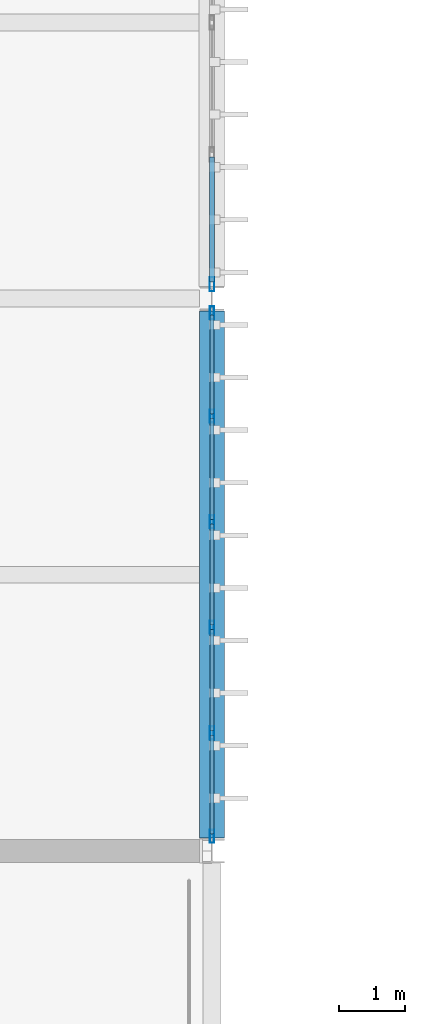
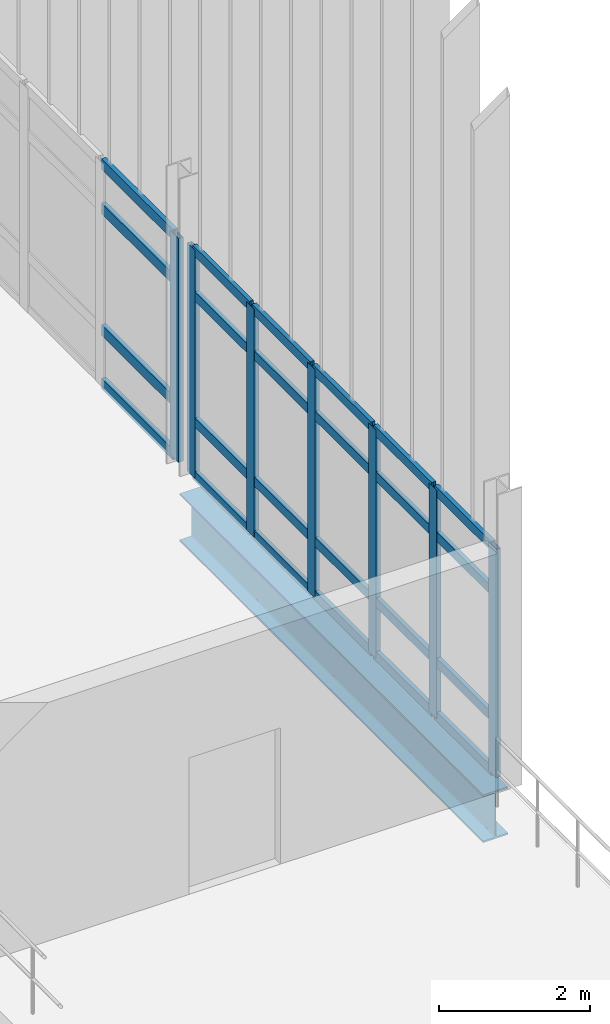
# One storey, part 37 of 153: 31 members, 1 beam, 2 elements without a shape of their own.
"""IFC4 building model written with IfcOpenShell, lengths in metres."""

import ifcopenshell
import ifcopenshell.guid

model = None  # the IFC model being written
_history = None  # IfcOwnerHistory: only IFC2X3 demands one
_inside = {}  # id of a spatial element -> (the spatial element, [elements in it])
_under = {}  # id of a project, library or spatial element -> (it, [spatial elements below it])
_declared = {}  # id of a project -> (the project, [libraries it declares])
_typed = {}  # id of a type object -> (the type object, [elements of that type])
_made_of = {}  # id of a material, layer set ... -> (it, [elements and type objects made of it])


def new_model(schema):
    """Start an empty IFC model of exactly this schema.

    Asked for "IFC4X3", IfcOpenShell would pick the latest addendum, in which some entities
    have other attributes; the version numbers below select the first issue.
    IFC2X3 requires an IfcOwnerHistory on every rooted entity: one is made here for all.
    """
    global model, _history
    if schema == "IFC4X3":
        model = ifcopenshell.file(schema_version=(4, 3, 0, 0))
    else:
        model = ifcopenshell.file(schema=schema)
    _inside.clear()
    _under.clear()
    _declared.clear()
    _typed.clear()
    _made_of.clear()
    _history = None
    if model.schema == "IFC2X3":
        org = make("IfcOrganization", Name="unknown")
        user = make(
            "IfcPersonAndOrganization",
            ThePerson=make("IfcPerson", FamilyName="unknown"),
            TheOrganization=org,
        )
        app = make(
            "IfcApplication",
            ApplicationDeveloper=org,
            Version="unknown",
            ApplicationFullName="unknown",
            ApplicationIdentifier="unknown",
        )
        _history = make(
            "IfcOwnerHistory",
            OwningUser=user,
            OwningApplication=app,
            ChangeAction="ADDED",
            CreationDate=0,
        )
    return model


def make(cls, **values):
    """One entity of the class cls with the attributes given. An attribute that is None is left unset."""
    return model.create_entity(
        cls, **{name: value for name, value in values.items() if value is not None}
    )


def rooted(cls, **values):
    """An entity with a GlobalId (a new one), such as an element, a storey or a relation."""
    return make(cls, GlobalId=ifcopenshell.guid.new(), OwnerHistory=_history, **values)


def si_unit(unit_type, name, prefix=None):
    """IfcSIUnit, for example si_unit("LENGTHUNIT", "METRE", prefix="MILLI")."""
    return make("IfcSIUnit", UnitType=unit_type, Prefix=prefix, Name=name)


def assignment(units):
    """IfcUnitAssignment: the units of a project."""
    return None if units is None else make("IfcUnitAssignment", Units=units)


def point(xyz):
    """IfcCartesianPoint."""
    return None if xyz is None else make("IfcCartesianPoint", Coordinates=xyz)


def direction(xyz):
    """IfcDirection."""
    return None if xyz is None else make("IfcDirection", DirectionRatios=xyz)


def frame(location, z_axis=None, x_axis=None):
    """IfcAxis2Placement3D, a coordinate frame: its origin and axes. An axis left out is left unset."""
    return make(
        "IfcAxis2Placement3D",
        Location=point(location),
        Axis=direction(z_axis),
        RefDirection=direction(x_axis),
    )


def frame_2d(location, x_axis=None):
    """IfcAxis2Placement2D, a coordinate frame in the plane: its origin and x axis."""
    return make(
        "IfcAxis2Placement2D", Location=point(location), RefDirection=direction(x_axis)
    )


def origin():
    """The frame at (0, 0, 0) with its axes left unset."""
    return frame((0.0, 0.0, 0.0))


def origin_2d():
    """The frame at (0, 0) in the plane with its x axis left unset."""
    return frame_2d((0.0, 0.0))


def place(relative_to, where):
    """IfcLocalPlacement: puts the frame where relative to a parent placement (None: the world)."""
    return make(
        "IfcLocalPlacement", PlacementRelTo=relative_to, RelativePlacement=where
    )


def context(
    kind, dimensions, precision=None, world=None, true_north=None, identifier=None
):
    """IfcGeometricRepresentationContext, for example the 3D "Model" context."""
    return make(
        "IfcGeometricRepresentationContext",
        ContextIdentifier=identifier,
        ContextType=kind,
        CoordinateSpaceDimension=dimensions,
        Precision=precision,
        WorldCoordinateSystem=world,
        TrueNorth=true_north,
    )


def subcontext(parent, identifier, kind, view, scale=None):
    """IfcGeometricRepresentationSubContext, for example "Body" below "Model"."""
    return make(
        "IfcGeometricRepresentationSubContext",
        ContextIdentifier=identifier,
        ContextType=kind,
        ParentContext=parent,
        TargetScale=scale,
        TargetView=view,
    )


def project(units=None, contexts=None):
    """IfcProject with its units and contexts."""
    return rooted(
        "IfcProject",
        Name="project",
        RepresentationContexts=contexts,
        UnitsInContext=assignment(units),
    )


def spatial(cls, under=None, at=None, **own):
    """A site, building, storey or space (cls), placed at a placement, below another one or the project."""
    s = rooted(cls, ObjectPlacement=at, **own)
    if under is not None:
        _under.setdefault(under.id(), (under, []))[1].append(s)
    return s


def profile(cls, at=None, kind="AREA", **sizes):
    """A parametric profile (cls). Its sizes go by their IFC names, for example OverallWidth=200.0."""
    return make(cls, ProfileType=kind, Position=at, **sizes)


def hollow_rectangle(**sizes):
    """IfcRectangleHollowProfileDef."""
    return profile("IfcRectangleHollowProfileDef", **sizes)


def i_section(**sizes):
    """IfcIShapeProfileDef."""
    return profile("IfcIShapeProfileDef", **sizes)


def extrude(swept, where, along, depth):
    """IfcExtrudedAreaSolid: the profile swept, set in the frame where, extruded along a direction by depth."""
    return make(
        "IfcExtrudedAreaSolid",
        SweptArea=swept,
        Position=where,
        ExtrudedDirection=direction(along),
        Depth=depth,
    )


def shape(context_of_items, identifier, shape_type, items):
    """IfcShapeRepresentation: the items that make up one representation, for example the "Body"."""
    return make(
        "IfcShapeRepresentation",
        ContextOfItems=context_of_items,
        RepresentationIdentifier=identifier,
        RepresentationType=shape_type,
        Items=items,
    )


def material(Name=None, Category=None):
    """IfcMaterial."""
    return make("IfcMaterial", Name=Name, Category=Category)


def layer(
    of_material, thickness, ventilated=None, Name=None, Category=None, Priority=None
):
    """IfcMaterialLayer: one layer of a wall or slab, of a material (None: an air gap)."""
    return make(
        "IfcMaterialLayer",
        Material=of_material,
        LayerThickness=thickness,
        IsVentilated=ventilated,
        Name=Name,
        Category=Category,
        Priority=Priority,
    )


def layer_set(layers, Name=None):
    """IfcMaterialLayerSet."""
    return make("IfcMaterialLayerSet", MaterialLayers=layers, LayerSetName=Name)


def material_profile(
    of_material, cross_section, Name=None, Category=None, Priority=None
):
    """IfcMaterialProfile: a cross section and its material."""
    return make(
        "IfcMaterialProfile",
        Name=Name,
        Material=of_material,
        Profile=cross_section,
        Priority=Priority,
        Category=Category,
    )


def profile_set(profiles, Name=None, composite=None):
    """IfcMaterialProfileSet."""
    return make(
        "IfcMaterialProfileSet",
        Name=Name,
        MaterialProfiles=profiles,
        CompositeProfile=composite,
    )


def made_of(thing, what):
    """Note that an element or type object is made of a material, layer set ...; save() writes the relation."""
    if what is not None:
        _made_of.setdefault(what.id(), (what, []))[1].append(thing)
    return thing


def type_object(cls, material=None, **own):
    """A type object (cls), such as IfcWallType, which elements share."""
    return made_of(rooted(cls, **own), material)


def element(
    cls,
    number,
    at=None,
    inside=None,
    cuts=None,
    type_object=None,
    material=None,
    context=None,
    identifier="Body",
    shape_type=None,
    held_by="IfcProductDefinitionShape",
    body=None,
    shapes=None,
    **own,
):
    """One element of the class cls, such as IfcWall. Its Tag is "e" and its number.

    at: its placement. inside: the storey or other place that contains it. cuts: it is an
    opening in that element (IfcRelVoidsElement). A single representation is given by context,
    identifier, shape_type and body (its items); several are given by shapes. held_by: the class
    of the entity that holds the representations. save() writes the other relations.
    """
    e = rooted(cls, Tag="e%d" % number, ObjectPlacement=at, **own)
    if body is not None:
        shapes = [shape(context, identifier, shape_type, body)]
    if shapes is not None:
        e.Representation = make(held_by, Representations=shapes)
    if inside is not None:
        _inside.setdefault(inside.id(), (inside, []))[1].append(e)
    if cuts is not None:
        rooted(
            "IfcRelVoidsElement", RelatingBuildingElement=cuts, RelatedOpeningElement=e
        )
    if type_object is not None:
        _typed.setdefault(type_object.id(), (type_object, []))[1].append(e)
    return made_of(e, material)


def aggregate(whole, parts):
    """IfcRelAggregates: a whole, such as a stair, and the parts it consists of."""
    return rooted("IfcRelAggregates", RelatingObject=whole, RelatedObjects=parts)


def save(model, path):
    """Write the relations noted so far, then the file.

    IfcRelAggregates (storeys below a building ...), IfcRelContainedInSpatialStructure (elements
    in a storey), IfcRelDefinesByType, IfcRelAssociatesMaterial and IfcRelDeclares: one each for
    every whole, place, type object, material and project.
    """
    for whole, parts in _under.values():
        aggregate(whole, parts)
    for where, things in _inside.values():
        rooted(
            "IfcRelContainedInSpatialStructure",
            RelatedElements=things,
            RelatingStructure=where,
        )
    for kind, things in _typed.values():
        rooted("IfcRelDefinesByType", RelatedObjects=things, RelatingType=kind)
    for what, things in _made_of.values():
        rooted("IfcRelAssociatesMaterial", RelatedObjects=things, RelatingMaterial=what)
    for by, libraries in _declared.values():
        rooted("IfcRelDeclares", RelatingContext=by, RelatedDefinitions=libraries)
    model.write(path)


model = new_model("IFC4")

# Units and contexts
model_context = context("Model", 3, precision=1e-05, world=origin(), true_north=direction((0.0, 1.0)))
body_context = subcontext(model_context, "Body", "Model", "MODEL_VIEW")
ifc_project = project(units=[si_unit("LENGTHUNIT", "METRE"), si_unit("AREAUNIT", "SQUARE_METRE"), si_unit("VOLUMEUNIT", "CUBIC_METRE"), si_unit("PLANEANGLEUNIT", "RADIAN"), si_unit("MASSUNIT", "GRAM", prefix="KILO")], contexts=[model_context])

# Site, building, storey
site_placement = place(None, origin())
site = spatial("IfcSite", under=ifc_project, at=site_placement, CompositionType="ELEMENT")
building_placement = place(site_placement, origin())
building = spatial("IfcBuilding", under=site, at=building_placement, Name="Calvrana Isthmian Art Gallery", CompositionType="ELEMENT")
storey_placement = place(building_placement, frame((0.0, 0.0, 10.199951171875)))
storey = spatial("IfcBuildingStorey", under=building, at=storey_placement, Name="L02", CompositionType="ELEMENT", Elevation=10.199951171875)

# Beam
ifc_material_1 = material(Name="Steel ASTM A992 Gr 50", Category="steel")
ifc_material_profile_1 = material_profile(ifc_material_1, i_section(OverallWidth=0.381103515625, OverallDepth=0.77197265625, WebThickness=0.0166015625, FlangeThickness=0.027099609375, FilletRadius=0.02490234375, at=origin_2d()), Name="W30X173")
ifc_profile_set_1 = profile_set([ifc_material_profile_1], Name="Steel ASTM A992 Gr 50")
beam_type = type_object("IfcBeamType", Name="BM-G-W30X173", PredefinedType="BEAM", material=ifc_profile_set_1)
beam_placement = place(storey_placement, frame((80.39990234375, 21.79296875, -0.65087890625), z_axis=(0.0, 1.0, 0.0), x_axis=(-1.0, 0.0, 0.0)))
element("IfcBeam", 1, at=beam_placement, inside=storey, type_object=beam_type, Name="Girder Y L02 11/D-E", PredefinedType="BEAM", context=body_context, shape_type="SweptSolid", body=[
    extrude(i_section(OverallWidth=0.381103515625, OverallDepth=0.77197265625, WebThickness=0.0166015625, FlangeThickness=0.027099609375, FilletRadius=0.02490234375, at=origin_2d()), origin(), (0.0, 0.0, 1.0), 8.0205078125),
])

# Curtain wall, members
ifc_material_2 = material(Name="Anodized bronze aluminium 6063-T6", Category="aluminium")
ifc_layer_1 = layer(ifc_material_2, 0.179931640625, Name="Anodized bronze aluminium 6063-T6")
ifc_layer_set_1 = layer_set([ifc_layer_1], Name="Anodized bronze aluminium 6063-T6")
curtain_wall_type_1 = type_object("IfcCurtainWallType", Name="CW-STICK-080X37", PredefinedType="NOTDEFINED", material=ifc_layer_set_1)
curtain_wall_1_placement = place(storey_placement, origin())
curtain_wall_1 = element("IfcCurtainWall", 2, at=curtain_wall_1_placement, inside=storey, type_object=curtain_wall_type_1, Name="Curtain wall CW-177", PredefinedType="NOTDEFINED")
ifc_material_profile_2 = material_profile(ifc_material_2, hollow_rectangle(XDim=0.070068359375, YDim=0.199951171875, WallThickness=0.0048828125, at=origin_2d()), Name="CWM70X200")
ifc_profile_set_2 = profile_set([ifc_material_profile_2], Name="Anodized bronze aluminium 6063-T6")
member_type_1 = type_object("IfcMemberType", Name="CWM-CWM70X200", PredefinedType="MULLION", material=ifc_profile_set_2)
member_1_placement = place(storey_placement, frame((80.39990234375, 29.783447265625, 0.0), z_axis=(0.0, 0.0, 1.0), x_axis=(1.0, 0.0, 0.0)))
member_1 = element("IfcMember", 3, at=member_1_placement, type_object=member_type_1, Name="CW-177 mullion 1", PredefinedType="MULLION", context=body_context, shape_type="SweptSolid", body=[
    extrude(hollow_rectangle(XDim=0.070068359375, YDim=0.199951171875, WallThickness=0.0048828125, at=origin_2d()), origin(), (0.0, 0.0, 1.0), 3.68408203125),
])
member_2_placement = place(storey_placement, frame((80.39990234375, 28.212158203125, 0.0), z_axis=(0.0, 0.0, 1.0), x_axis=(1.0, 0.0, 0.0)))
member_2 = element("IfcMember", 4, at=member_2_placement, type_object=member_type_1, Name="CW-177 mullion 2", PredefinedType="MULLION", context=body_context, shape_type="SweptSolid", body=[
    extrude(hollow_rectangle(XDim=0.070068359375, YDim=0.199951171875, WallThickness=0.0048828125, at=origin_2d()), origin(), (0.0, 0.0, 1.0), 3.68408203125),
])
member_3_placement = place(storey_placement, frame((80.39990234375, 26.605712890625, 0.0), z_axis=(0.0, 0.0, 1.0), x_axis=(1.0, 0.0, 0.0)))
member_3 = element("IfcMember", 5, at=member_3_placement, type_object=member_type_1, Name="CW-177 mullion 3", PredefinedType="MULLION", context=body_context, shape_type="SweptSolid", body=[
    extrude(hollow_rectangle(XDim=0.070068359375, YDim=0.199951171875, WallThickness=0.0048828125, at=origin_2d()), origin(), (0.0, 0.0, 1.0), 3.68408203125),
])
member_4_placement = place(storey_placement, frame((80.39990234375, 24.999267578125, 0.0), z_axis=(0.0, 0.0, 1.0), x_axis=(1.0, 0.0, 0.0)))
member_4 = element("IfcMember", 6, at=member_4_placement, type_object=member_type_1, Name="CW-177 mullion 4", PredefinedType="MULLION", context=body_context, shape_type="SweptSolid", body=[
    extrude(hollow_rectangle(XDim=0.070068359375, YDim=0.199951171875, WallThickness=0.0048828125, at=origin_2d()), origin(), (0.0, 0.0, 1.0), 3.68408203125),
])
member_5_placement = place(storey_placement, frame((80.39990234375, 23.392822265625, 0.0), z_axis=(0.0, 0.0, 1.0), x_axis=(1.0, 0.0, 0.0)))
member_5 = element("IfcMember", 7, at=member_5_placement, type_object=member_type_1, Name="CW-177 mullion 5", PredefinedType="MULLION", context=body_context, shape_type="SweptSolid", body=[
    extrude(hollow_rectangle(XDim=0.070068359375, YDim=0.199951171875, WallThickness=0.0048828125, at=origin_2d()), origin(), (0.0, 0.0, 1.0), 3.68408203125),
])
member_6_placement = place(storey_placement, frame((80.39990234375, 21.821533203125, 0.0), z_axis=(0.0, 0.0, 1.0), x_axis=(1.0, 0.0, 0.0)))
member_6 = element("IfcMember", 8, at=member_6_placement, type_object=member_type_1, Name="CW-177 mullion 6", PredefinedType="MULLION", context=body_context, shape_type="SweptSolid", body=[
    extrude(hollow_rectangle(XDim=0.070068359375, YDim=0.199951171875, WallThickness=0.0048828125, at=origin_2d()), origin(), (0.0, 0.0, 1.0), 3.68408203125),
])

# Curtain wall, member
ifc_layer_2 = layer(ifc_material_2, 0.179931640625, Name="Anodized bronze aluminium 6063-T6")
ifc_layer_set_2 = layer_set([ifc_layer_2], Name="Anodized bronze aluminium 6063-T6")
curtain_wall_type_2 = type_object("IfcCurtainWallType", Name="CW-UNIT-080X36", PredefinedType="USERDEFINED", material=ifc_layer_set_2)
curtain_wall_2_placement = place(storey_placement, origin())
curtain_wall_2 = element("IfcCurtainWall", 9, at=curtain_wall_2_placement, inside=storey, type_object=curtain_wall_type_2, Name="Curtain wall CW-178", ObjectType="UNITISED CURTAIN WALL", PredefinedType="USERDEFINED")
ifc_material_profile_3 = material_profile(ifc_material_2, hollow_rectangle(XDim=0.074951171875, YDim=0.219970703125, WallThickness=0.0048828125, at=origin_2d()), Name="CWM75X220")
ifc_profile_set_3 = profile_set([ifc_material_profile_3], Name="Anodized bronze aluminium 6063-T6")
member_type_2 = type_object("IfcMemberType", Name="CWM-CWM75X220", PredefinedType="MULLION", material=ifc_profile_set_3)
member_7_placement = place(storey_placement, frame((80.39990234375, 30.218994140625, 0.0), z_axis=(0.0, 0.0, 1.0), x_axis=(1.0, 0.0, 0.0)))
member_7 = element("IfcMember", 10, at=member_7_placement, type_object=member_type_2, Name="CW-178 mullion 5", PredefinedType="MULLION", context=body_context, shape_type="SweptSolid", body=[
    extrude(hollow_rectangle(XDim=0.074951171875, YDim=0.219970703125, WallThickness=0.0048828125, at=origin_2d()), origin(), (0.0, 0.0, 1.0), 3.613037109375),
])

# Member
ifc_material_profile_4 = material_profile(ifc_material_2, hollow_rectangle(XDim=0.06494140625, YDim=0.14990234375, WallThickness=0.00390625, at=origin_2d()), Name="CWT65X150")
ifc_profile_set_4 = profile_set([ifc_material_profile_4], Name="Anodized bronze aluminium 6063-T6")
member_type_3 = type_object("IfcMemberType", Name="CWT-CWT65X150", PredefinedType="USERDEFINED", material=ifc_profile_set_4)
member_8_placement = place(storey_placement, frame((80.39990234375, 29.74853515625, 0.032470703125), z_axis=(0.0, -1.0, 0.0), x_axis=(1.0, 0.0, 0.0)))
member_8 = element("IfcMember", 11, at=member_8_placement, type_object=member_type_3, Name="CW-177 transom 1.1", ObjectType="TRANSOM", PredefinedType="USERDEFINED", context=body_context, shape_type="SweptSolid", body=[
    extrude(hollow_rectangle(XDim=0.06494140625, YDim=0.14990234375, WallThickness=0.00390625, at=origin_2d()), origin(), (0.0, 0.0, 1.0), 1.50146484375),
])

member_9_placement = place(storey_placement, frame((80.39990234375, 29.74853515625, 0.900146484375), z_axis=(0.0, -1.0, 0.0), x_axis=(1.0, 0.0, 0.0)))
member_9 = element("IfcMember", 12, at=member_9_placement, type_object=member_type_3, Name="CW-177 transom 1.2", ObjectType="TRANSOM", PredefinedType="USERDEFINED", context=body_context, shape_type="SweptSolid", body=[
    extrude(hollow_rectangle(XDim=0.06494140625, YDim=0.14990234375, WallThickness=0.00390625, at=origin_2d()), origin(), (0.0, 0.0, 1.0), 1.50146484375),
])

member_10_placement = place(storey_placement, frame((80.39990234375, 29.74853515625, 2.93408203125), z_axis=(0.0, -1.0, 0.0), x_axis=(1.0, 0.0, 0.0)))
member_10 = element("IfcMember", 13, at=member_10_placement, type_object=member_type_3, Name="CW-177 transom 1.3", ObjectType="TRANSOM", PredefinedType="USERDEFINED", context=body_context, shape_type="SweptSolid", body=[
    extrude(hollow_rectangle(XDim=0.06494140625, YDim=0.14990234375, WallThickness=0.00390625, at=origin_2d()), origin(), (0.0, 0.0, 1.0), 1.50146484375),
])

member_11_placement = place(storey_placement, frame((80.39990234375, 29.74853515625, 3.651611328125), z_axis=(0.0, -1.0, 0.0), x_axis=(1.0, 0.0, 0.0)))
member_11 = element("IfcMember", 14, at=member_11_placement, type_object=member_type_3, Name="CW-177 transom 1.4", ObjectType="TRANSOM", PredefinedType="USERDEFINED", context=body_context, shape_type="SweptSolid", body=[
    extrude(hollow_rectangle(XDim=0.06494140625, YDim=0.14990234375, WallThickness=0.00390625, at=origin_2d()), origin(), (0.0, 0.0, 1.0), 1.50146484375),
])

member_12_placement = place(storey_placement, frame((80.39990234375, 28.177001953125, 0.032470703125), z_axis=(0.0, -1.0, 0.0), x_axis=(1.0, 0.0, 0.0)))
member_12 = element("IfcMember", 15, at=member_12_placement, type_object=member_type_3, Name="CW-177 transom 2.1", ObjectType="TRANSOM", PredefinedType="USERDEFINED", context=body_context, shape_type="SweptSolid", body=[
    extrude(hollow_rectangle(XDim=0.06494140625, YDim=0.14990234375, WallThickness=0.00390625, at=origin_2d()), origin(), (0.0, 0.0, 1.0), 1.536376953125),
])

member_13_placement = place(storey_placement, frame((80.39990234375, 28.177001953125, 0.900146484375), z_axis=(0.0, -1.0, 0.0), x_axis=(1.0, 0.0, 0.0)))
member_13 = element("IfcMember", 16, at=member_13_placement, type_object=member_type_3, Name="CW-177 transom 2.2", ObjectType="TRANSOM", PredefinedType="USERDEFINED", context=body_context, shape_type="SweptSolid", body=[
    extrude(hollow_rectangle(XDim=0.06494140625, YDim=0.14990234375, WallThickness=0.00390625, at=origin_2d()), origin(), (0.0, 0.0, 1.0), 1.536376953125),
])

member_14_placement = place(storey_placement, frame((80.39990234375, 28.177001953125, 2.93408203125), z_axis=(0.0, -1.0, 0.0), x_axis=(1.0, 0.0, 0.0)))
member_14 = element("IfcMember", 17, at=member_14_placement, type_object=member_type_3, Name="CW-177 transom 2.3", ObjectType="TRANSOM", PredefinedType="USERDEFINED", context=body_context, shape_type="SweptSolid", body=[
    extrude(hollow_rectangle(XDim=0.06494140625, YDim=0.14990234375, WallThickness=0.00390625, at=origin_2d()), origin(), (0.0, 0.0, 1.0), 1.536376953125),
])

member_15_placement = place(storey_placement, frame((80.39990234375, 28.177001953125, 3.651611328125), z_axis=(0.0, -1.0, 0.0), x_axis=(1.0, 0.0, 0.0)))
member_15 = element("IfcMember", 18, at=member_15_placement, type_object=member_type_3, Name="CW-177 transom 2.4", ObjectType="TRANSOM", PredefinedType="USERDEFINED", context=body_context, shape_type="SweptSolid", body=[
    extrude(hollow_rectangle(XDim=0.06494140625, YDim=0.14990234375, WallThickness=0.00390625, at=origin_2d()), origin(), (0.0, 0.0, 1.0), 1.536376953125),
])

member_16_placement = place(storey_placement, frame((80.39990234375, 26.57080078125, 0.032470703125), z_axis=(0.0, -1.0, 0.0), x_axis=(1.0, 0.0, 0.0)))
member_16 = element("IfcMember", 19, at=member_16_placement, type_object=member_type_3, Name="CW-177 transom 3.1", ObjectType="TRANSOM", PredefinedType="USERDEFINED", context=body_context, shape_type="SweptSolid", body=[
    extrude(hollow_rectangle(XDim=0.06494140625, YDim=0.14990234375, WallThickness=0.00390625, at=origin_2d()), origin(), (0.0, 0.0, 1.0), 1.53662109375),
])

member_17_placement = place(storey_placement, frame((80.39990234375, 26.57080078125, 0.900146484375), z_axis=(0.0, -1.0, 0.0), x_axis=(1.0, 0.0, 0.0)))
member_17 = element("IfcMember", 20, at=member_17_placement, type_object=member_type_3, Name="CW-177 transom 3.2", ObjectType="TRANSOM", PredefinedType="USERDEFINED", context=body_context, shape_type="SweptSolid", body=[
    extrude(hollow_rectangle(XDim=0.06494140625, YDim=0.14990234375, WallThickness=0.00390625, at=origin_2d()), origin(), (0.0, 0.0, 1.0), 1.53662109375),
])

member_18_placement = place(storey_placement, frame((80.39990234375, 26.57080078125, 2.93408203125), z_axis=(0.0, -1.0, 0.0), x_axis=(1.0, 0.0, 0.0)))
member_18 = element("IfcMember", 21, at=member_18_placement, type_object=member_type_3, Name="CW-177 transom 3.3", ObjectType="TRANSOM", PredefinedType="USERDEFINED", context=body_context, shape_type="SweptSolid", body=[
    extrude(hollow_rectangle(XDim=0.06494140625, YDim=0.14990234375, WallThickness=0.00390625, at=origin_2d()), origin(), (0.0, 0.0, 1.0), 1.53662109375),
])

member_19_placement = place(storey_placement, frame((80.39990234375, 26.57080078125, 3.651611328125), z_axis=(0.0, -1.0, 0.0), x_axis=(1.0, 0.0, 0.0)))
member_19 = element("IfcMember", 22, at=member_19_placement, type_object=member_type_3, Name="CW-177 transom 3.4", ObjectType="TRANSOM", PredefinedType="USERDEFINED", context=body_context, shape_type="SweptSolid", body=[
    extrude(hollow_rectangle(XDim=0.06494140625, YDim=0.14990234375, WallThickness=0.00390625, at=origin_2d()), origin(), (0.0, 0.0, 1.0), 1.53662109375),
])

member_20_placement = place(storey_placement, frame((80.39990234375, 24.96435546875, 0.032470703125), z_axis=(0.0, -1.0, 0.0), x_axis=(1.0, 0.0, 0.0)))
member_20 = element("IfcMember", 23, at=member_20_placement, type_object=member_type_3, Name="CW-177 transom 4.1", ObjectType="TRANSOM", PredefinedType="USERDEFINED", context=body_context, shape_type="SweptSolid", body=[
    extrude(hollow_rectangle(XDim=0.06494140625, YDim=0.14990234375, WallThickness=0.00390625, at=origin_2d()), origin(), (0.0, 0.0, 1.0), 1.536376953125),
])

member_21_placement = place(storey_placement, frame((80.39990234375, 24.96435546875, 0.900146484375), z_axis=(0.0, -1.0, 0.0), x_axis=(1.0, 0.0, 0.0)))
member_21 = element("IfcMember", 24, at=member_21_placement, type_object=member_type_3, Name="CW-177 transom 4.2", ObjectType="TRANSOM", PredefinedType="USERDEFINED", context=body_context, shape_type="SweptSolid", body=[
    extrude(hollow_rectangle(XDim=0.06494140625, YDim=0.14990234375, WallThickness=0.00390625, at=origin_2d()), origin(), (0.0, 0.0, 1.0), 1.536376953125),
])

member_22_placement = place(storey_placement, frame((80.39990234375, 24.96435546875, 2.93408203125), z_axis=(0.0, -1.0, 0.0), x_axis=(1.0, 0.0, 0.0)))
member_22 = element("IfcMember", 25, at=member_22_placement, type_object=member_type_3, Name="CW-177 transom 4.3", ObjectType="TRANSOM", PredefinedType="USERDEFINED", context=body_context, shape_type="SweptSolid", body=[
    extrude(hollow_rectangle(XDim=0.06494140625, YDim=0.14990234375, WallThickness=0.00390625, at=origin_2d()), origin(), (0.0, 0.0, 1.0), 1.536376953125),
])

member_23_placement = place(storey_placement, frame((80.39990234375, 24.96435546875, 3.651611328125), z_axis=(0.0, -1.0, 0.0), x_axis=(1.0, 0.0, 0.0)))
member_23 = element("IfcMember", 26, at=member_23_placement, type_object=member_type_3, Name="CW-177 transom 4.4", ObjectType="TRANSOM", PredefinedType="USERDEFINED", context=body_context, shape_type="SweptSolid", body=[
    extrude(hollow_rectangle(XDim=0.06494140625, YDim=0.14990234375, WallThickness=0.00390625, at=origin_2d()), origin(), (0.0, 0.0, 1.0), 1.536376953125),
])

member_24_placement = place(storey_placement, frame((80.39990234375, 23.35791015625, 0.032470703125), z_axis=(0.0, -1.0, 0.0), x_axis=(1.0, 0.0, 0.0)))
member_24 = element("IfcMember", 27, at=member_24_placement, type_object=member_type_3, Name="CW-177 transom 5.1", ObjectType="TRANSOM", PredefinedType="USERDEFINED", context=body_context, shape_type="SweptSolid", body=[
    extrude(hollow_rectangle(XDim=0.06494140625, YDim=0.14990234375, WallThickness=0.00390625, at=origin_2d()), origin(), (0.0, 0.0, 1.0), 1.50146484375),
])

member_25_placement = place(storey_placement, frame((80.39990234375, 23.35791015625, 0.900146484375), z_axis=(0.0, -1.0, 0.0), x_axis=(1.0, 0.0, 0.0)))
member_25 = element("IfcMember", 28, at=member_25_placement, type_object=member_type_3, Name="CW-177 transom 5.2", ObjectType="TRANSOM", PredefinedType="USERDEFINED", context=body_context, shape_type="SweptSolid", body=[
    extrude(hollow_rectangle(XDim=0.06494140625, YDim=0.14990234375, WallThickness=0.00390625, at=origin_2d()), origin(), (0.0, 0.0, 1.0), 1.50146484375),
])

member_26_placement = place(storey_placement, frame((80.39990234375, 23.35791015625, 2.93408203125), z_axis=(0.0, -1.0, 0.0), x_axis=(1.0, 0.0, 0.0)))
member_26 = element("IfcMember", 29, at=member_26_placement, type_object=member_type_3, Name="CW-177 transom 5.3", ObjectType="TRANSOM", PredefinedType="USERDEFINED", context=body_context, shape_type="SweptSolid", body=[
    extrude(hollow_rectangle(XDim=0.06494140625, YDim=0.14990234375, WallThickness=0.00390625, at=origin_2d()), origin(), (0.0, 0.0, 1.0), 1.50146484375),
])

member_27_placement = place(storey_placement, frame((80.39990234375, 23.35791015625, 3.651611328125), z_axis=(0.0, -1.0, 0.0), x_axis=(1.0, 0.0, 0.0)))
member_27 = element("IfcMember", 30, at=member_27_placement, type_object=member_type_3, Name="CW-177 transom 5.4", ObjectType="TRANSOM", PredefinedType="USERDEFINED", context=body_context, shape_type="SweptSolid", body=[
    extrude(hollow_rectangle(XDim=0.06494140625, YDim=0.14990234375, WallThickness=0.00390625, at=origin_2d()), origin(), (0.0, 0.0, 1.0), 1.50146484375),
])

aggregate(curtain_wall_1, [member_1, member_2, member_3, member_4, member_5, member_6, member_8, member_9, member_10, member_11, member_12, member_13, member_14, member_15, member_16, member_17, member_18, member_19, member_20, member_21, member_22, member_23, member_24, member_25, member_26, member_27])

ifc_material_profile_5 = material_profile(ifc_material_2, hollow_rectangle(XDim=0.070068359375, YDim=0.169921875, WallThickness=0.00439453125, at=origin_2d()), Name="CWT70X170")
ifc_profile_set_5 = profile_set([ifc_material_profile_5], Name="Anodized bronze aluminium 6063-T6")
member_type_4 = type_object("IfcMemberType", Name="CWT-CWT70X170", PredefinedType="USERDEFINED", material=ifc_profile_set_5)
member_28_placement = place(storey_placement, frame((80.39990234375, 32.152587890625, 0.03515625), z_axis=(0.0, -1.0, 0.0), x_axis=(1.0, 0.0, 0.0)))
member_28 = element("IfcMember", 31, at=member_28_placement, type_object=member_type_4, Name="CW-178 transom 4.1", ObjectType="TRANSOM", PredefinedType="USERDEFINED", context=body_context, shape_type="SweptSolid", body=[
    extrude(hollow_rectangle(XDim=0.070068359375, YDim=0.169921875, WallThickness=0.00439453125, at=origin_2d()), origin(), (0.0, 0.0, 1.0), 1.89599609375),
])

member_29_placement = place(storey_placement, frame((80.39990234375, 32.152587890625, 0.900146484375), z_axis=(0.0, -1.0, 0.0), x_axis=(1.0, 0.0, 0.0)))
member_29 = element("IfcMember", 32, at=member_29_placement, type_object=member_type_4, Name="CW-178 transom 4.2", ObjectType="TRANSOM", PredefinedType="USERDEFINED", context=body_context, shape_type="SweptSolid", body=[
    extrude(hollow_rectangle(XDim=0.070068359375, YDim=0.169921875, WallThickness=0.00439453125, at=origin_2d()), origin(), (0.0, 0.0, 1.0), 1.89599609375),
])

member_30_placement = place(storey_placement, frame((80.39990234375, 32.152587890625, 2.863037109375), z_axis=(0.0, -1.0, 0.0), x_axis=(1.0, 0.0, 0.0)))
member_30 = element("IfcMember", 33, at=member_30_placement, type_object=member_type_4, Name="CW-178 transom 4.3", ObjectType="TRANSOM", PredefinedType="USERDEFINED", context=body_context, shape_type="SweptSolid", body=[
    extrude(hollow_rectangle(XDim=0.070068359375, YDim=0.169921875, WallThickness=0.00439453125, at=origin_2d()), origin(), (0.0, 0.0, 1.0), 1.89599609375),
])

member_31_placement = place(storey_placement, frame((80.39990234375, 32.152587890625, 3.578125), z_axis=(0.0, -1.0, 0.0), x_axis=(1.0, 0.0, 0.0)))
member_31 = element("IfcMember", 34, at=member_31_placement, type_object=member_type_4, Name="CW-178 transom 4.4", ObjectType="TRANSOM", PredefinedType="USERDEFINED", context=body_context, shape_type="SweptSolid", body=[
    extrude(hollow_rectangle(XDim=0.070068359375, YDim=0.169921875, WallThickness=0.00439453125, at=origin_2d()), origin(), (0.0, 0.0, 1.0), 1.89599609375),
])

aggregate(curtain_wall_2, [member_7, member_28, member_29, member_30, member_31])

save(model, "model.ifc")
